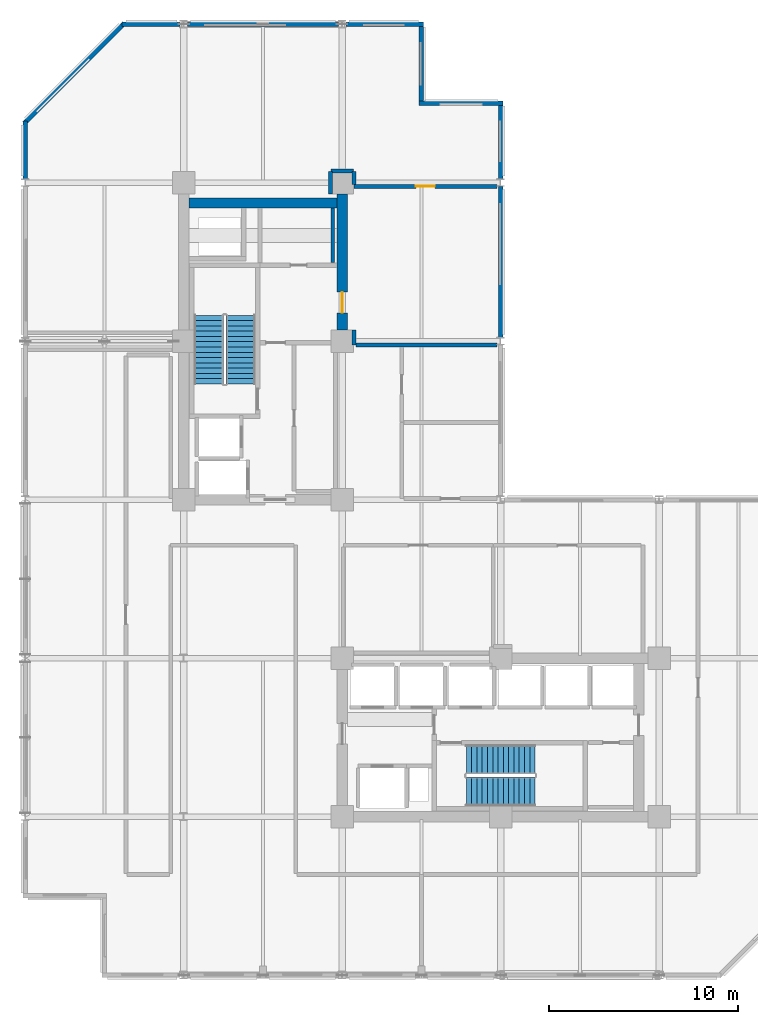
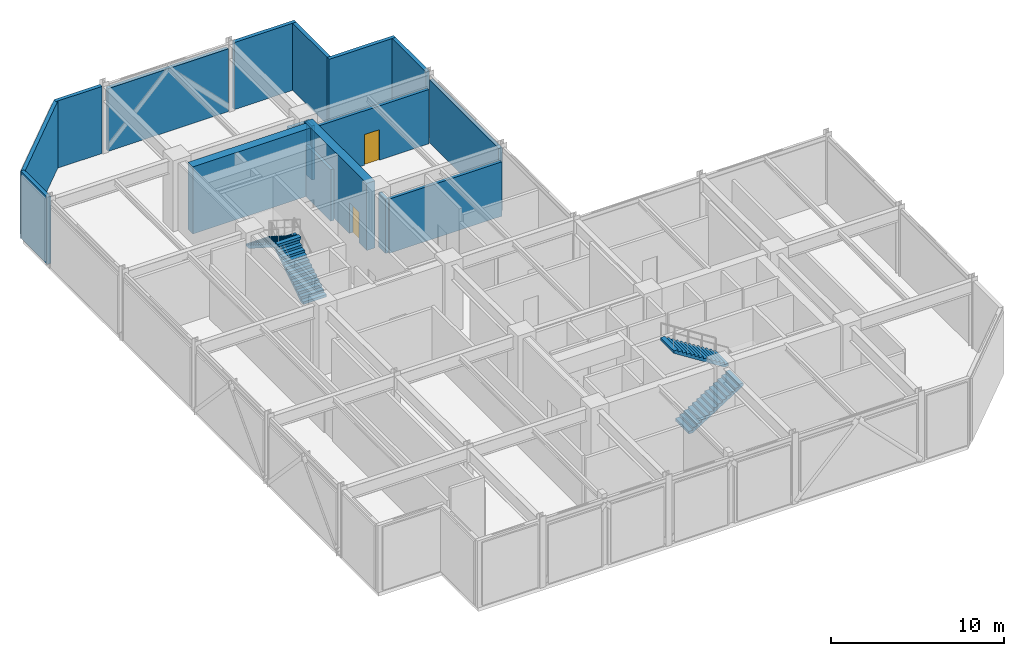
# One storey, part 7 of 10: 18 walls, 4 stair flights, 2 doors, 2 openings, 2 elements without a shape of their own.
"""IFC4 building model written with IfcOpenShell, lengths in metres."""

from ifc_helpers import new_model, si_unit, direction, frame, frame_2d, origin, place, context, subcontext, project, spatial, polyline, rectangle, outline, extrude, material, layer, layer_set, type_object, element, fill, aggregate, save


model = new_model("IFC4")

# Units and contexts
model_context = context("Model", 3, precision=1e-05, world=origin(), true_north=direction((0.0, 1.0)))
body_context = subcontext(model_context, "Body", "Model", "MODEL_VIEW")
ifc_project = project(units=[si_unit("LENGTHUNIT", "METRE"), si_unit("AREAUNIT", "SQUARE_METRE"), si_unit("VOLUMEUNIT", "CUBIC_METRE"), si_unit("PLANEANGLEUNIT", "RADIAN"), si_unit("MASSUNIT", "GRAM", prefix="KILO")], contexts=[model_context])

# Site, building, storey
site_placement = place(None, origin())
site = spatial("IfcSite", under=ifc_project, at=site_placement, CompositionType="ELEMENT")
building_placement = place(site_placement, origin())
building = spatial("IfcBuilding", under=site, at=building_placement, Name="Nerrivon Quay Data Exchange", CompositionType="ELEMENT")
storey_placement = place(building_placement, frame((0.0, 0.0, 162.300048828125)))
storey = spatial("IfcBuildingStorey", under=building, at=storey_placement, Name="L38", CompositionType="ELEMENT", Elevation=162.300048828125)

# Walls
ifc_material_1 = material(Name="Architectural terracotta precast concrete N50 (50 MPa)", Category="masonry")
ifc_layer_1 = layer(ifc_material_1, 0.239990234375)
ifc_layer_set_1 = layer_set([ifc_layer_1], Name="Architectural terracotta precast concrete N50 (50 MPa)")
wall_type_1 = type_object("IfcWallType", Name="EW-PREC-240", PredefinedType="STANDARD", material=ifc_layer_set_1)
wall_1_placement = place(storey_placement, frame((0.0, 42.199951171875, 0.0), z_axis=(0.0, 0.0, 1.0), x_axis=(0.0, 1.0, 0.0)))
element("IfcWall", 1, at=wall_1_placement, inside=storey, type_object=wall_type_1, Name="L38 Plant Enclosure Wall 16", PredefinedType="STANDARD", context=body_context, shape_type="SweptSolid", body=[
    extrude(rectangle(XDim=3.07470703125, YDim=0.239990234375, at=frame_2d((1.537353515625, 0.0))), origin(), (0.0, 0.0, 1.0), 4.724853515625),
])
wall_2_placement = place(storey_placement, frame((-0.052734375, 45.147216796875, 0.0), z_axis=(0.0, 0.0, 1.0), x_axis=(0.707090511833, 0.707123050166, 0.0)))
element("IfcWall", 2, at=wall_2_placement, inside=storey, type_object=wall_type_1, Name="L38 Plant Enclosure Wall 17", PredefinedType="STANDARD", context=body_context, shape_type="SweptSolid", body=[
    extrude(rectangle(XDim=7.503173828125, YDim=0.239990234375, at=frame_2d((3.75146484375, 0.0))), origin(), (0.0, 0.0, 1.0), 4.724853515625),
])
wall_3_placement = place(storey_placement, frame((5.125244140625, 50.39990234375, 0.0), z_axis=(0.0, 0.0, 1.0), x_axis=(1.0, 0.0, 0.0)))
element("IfcWall", 3, at=wall_3_placement, inside=storey, type_object=wall_type_1, Name="L38 Plant Enclosure Wall 18", PredefinedType="STANDARD", context=body_context, shape_type="SweptSolid", body=[
    extrude(rectangle(XDim=3.07470703125, YDim=0.239990234375, at=frame_2d((1.537353515625, 0.0))), origin(), (0.0, 0.0, 1.0), 4.724853515625),
])
wall_4_placement = place(storey_placement, frame((8.60009765625, 50.39990234375, 0.0), z_axis=(0.0, 0.0, 1.0), x_axis=(1.0, 0.0, 0.0)))
element("IfcWall", 4, at=wall_4_placement, inside=storey, type_object=wall_type_1, Name="L38 Plant Enclosure Wall 19", PredefinedType="STANDARD", context=body_context, shape_type="SweptSolid", body=[
    extrude(rectangle(XDim=8.0, YDim=0.239990234375, at=frame_2d((4.0, 0.0))), origin(), (0.0, 0.0, 1.0), 4.425048828125),
])
wall_5_placement = place(storey_placement, frame((17.0, 50.39990234375, 0.0), z_axis=(0.0, 0.0, 1.0), x_axis=(1.0, 0.0, 0.0)))
element("IfcWall", 5, at=wall_5_placement, inside=storey, type_object=wall_type_1, Name="L38 Plant Enclosure Wall 20", PredefinedType="STANDARD", context=body_context, shape_type="SweptSolid", body=[
    extrude(rectangle(XDim=4.1201171875, YDim=0.239990234375, at=frame_2d((2.06005859375, 0.0))), origin(), (0.0, 0.0, 1.0), 4.724853515625),
])
wall_6_placement = place(storey_placement, frame((21.0, 50.280029296875, 0.0), z_axis=(0.0, 0.0, 1.0), x_axis=(0.0, -1.0, 0.0)))
element("IfcWall", 6, at=wall_6_placement, inside=storey, type_object=wall_type_1, Name="L38 Plant Enclosure Wall 21", PredefinedType="STANDARD", context=body_context, shape_type="SweptSolid", body=[
    extrude(rectangle(XDim=3.9599609375, YDim=0.239990234375, at=frame_2d((1.97998046875, 0.0))), origin(), (0.0, 0.0, 1.0), 4.724853515625),
])
wall_7_placement = place(storey_placement, frame((20.8798828125, 46.199951171875, 0.0), z_axis=(0.0, 0.0, 1.0), x_axis=(1.0, 0.0, 0.0)))
element("IfcWall", 7, at=wall_7_placement, inside=storey, type_object=wall_type_1, Name="L38 Plant Enclosure Wall 22", PredefinedType="STANDARD", context=body_context, shape_type="SweptSolid", body=[
    extrude(rectangle(XDim=4.440185546875, YDim=0.239990234375, at=frame_2d((2.22021484375, 0.0))), origin(), (0.0, 0.0, 1.0), 4.724853515625),
])
wall_8_placement = place(storey_placement, frame((25.199951171875, 46.080078125, 0.0), z_axis=(0.0, 0.0, 1.0), x_axis=(0.0, -1.0, 0.0)))
element("IfcWall", 8, at=wall_8_placement, inside=storey, type_object=wall_type_1, Name="L38 Plant Enclosure Wall 23", PredefinedType="STANDARD", context=body_context, shape_type="SweptSolid", body=[
    extrude(rectangle(XDim=3.880126953125, YDim=0.239990234375, at=frame_2d((1.93994140625, 0.0))), origin(), (0.0, 0.0, 1.0), 4.724853515625),
])
wall_9_placement = place(storey_placement, frame((25.199951171875, 41.800048828125, 0.0), z_axis=(0.0, 0.0, 1.0), x_axis=(0.0, -1.0, 0.0)))
element("IfcWall", 9, at=wall_9_placement, inside=storey, type_object=wall_type_1, Name="L38 Plant Enclosure Wall 24", PredefinedType="STANDARD", context=body_context, shape_type="SweptSolid", body=[
    extrude(rectangle(XDim=8.0, YDim=0.239990234375, at=frame_2d((4.0, 0.0))), origin(), (0.0, 0.0, 1.0), 4.425048828125),
])
ifc_material_2 = material(Name="Concrete S65 (65 MPa)", Category="concrete")
ifc_layer_2 = layer(ifc_material_2, 0.550048828125)
ifc_layer_set_2 = layer_set([ifc_layer_2], Name="Concrete S65 (65 MPa)")
wall_type_2 = type_object("IfcWallType", Name="WALL-CW-700", PredefinedType="SHEAR", material=ifc_layer_set_2)
wall_10_placement = place(storey_placement, frame((8.675048828125, 40.925048828125, 0.0), z_axis=(0.0, 0.0, 1.0), x_axis=(1.0, 0.0, 0.0)))
element("IfcWall", 10, at=wall_10_placement, inside=storey, type_object=wall_type_2, Name="L38 West Split-Core Shear Wall WCW-N1", PredefinedType="SHEAR", context=body_context, shape_type="SweptSolid", body=[
    extrude(rectangle(XDim=7.849853515625, YDim=0.550048828125, at=frame_2d((3.9248046875, 0.0))), origin(), (0.0, 0.0, 1.0), 4.724853515625),
])

# Wall, opening, door
wall_11_placement = place(storey_placement, frame((16.800048828125, 34.199951171875, 0.0), z_axis=(0.0, 0.0, 1.0), x_axis=(0.0, 1.0, 0.0)))
wall_11 = element("IfcWall", 11, at=wall_11_placement, inside=storey, type_object=wall_type_2, Name="L38 West Split-Core Shear Wall WCW-E1", PredefinedType="SHEAR", context=body_context, shape_type="SweptSolid", body=[
    extrude(rectangle(XDim=7.199951171875, YDim=0.550048828125, at=frame_2d((3.60009765625, 0.0))), origin(), (0.0, 0.0, 1.0), 4.724853515625),
])
opening_1_placement = place(wall_11_placement, frame((0.89990234375, 0.0, 0.0)))
opening_1 = element("IfcOpeningElement", 12, at=opening_1_placement, cuts=wall_11, Name="Opening FD-120", PredefinedType="OPENING", context=body_context, shape_type="SweptSolid", body=[
    extrude(rectangle(XDim=1.10009765625, YDim=2.14990234375, at=frame_2d((0.550048828125, 1.074951171875))), frame((0.0, 0.284912109375, 0.0), z_axis=(0.0, -1.0, 0.0), x_axis=(1.0, 0.0, 0.0)), (0.0, 0.0, 1.0), 0.570068359375),
])
ifc_material_3 = material(Name="Powder-coated galvanized steel sheet", Category="steel")
door_type_1 = type_object("IfcDoorType", Name="DR-FD120-1100", OperationType="NOTDEFINED", PredefinedType="DOOR", material=ifc_material_3)
door_1_placement = place(opening_1_placement, origin())
door_1 = element("IfcDoor", 13, at=door_1_placement, inside=storey, type_object=door_type_1, Name="L38 West Core Lobby Fire Door", OperationType="SINGLE_SWING_RIGHT", OverallHeight=2.14990234375, OverallWidth=1.10009765625, PredefinedType="DOOR", context=body_context, shape_type="SweptSolid", body=[
    extrude(rectangle(XDim=1.10009765625, YDim=2.14990234375, at=frame_2d((0.550048828125, 1.074951171875))), frame((0.0, 0.02490234375, 0.0), z_axis=(0.0, -1.0, 0.0), x_axis=(1.0, 0.0, 0.0)), (0.0, 0.0, 1.0), 0.050048828125),
])
fill(opening_1, door_1)

# Walls
ifc_material_4 = material(Name="Gypsum plasterboard on cold-formed framing", Category="gypsum")
ifc_layer_3 = layer(ifc_material_4, 0.199951171875)
ifc_layer_set_3 = layer_set([ifc_layer_3], Name="Gypsum plasterboard on cold-formed framing")
wall_type_3 = type_object("IfcWallType", Name="WALL-FW-200", PredefinedType="PARTITIONING", material=ifc_layer_set_3)
wall_12_placement = place(storey_placement, frame((16.300048828125, 37.780029296875, 0.0), z_axis=(0.0, 0.0, 1.0), x_axis=(0.0, 1.0, 0.0)))
element("IfcWall", 14, at=wall_12_placement, inside=storey, type_object=wall_type_3, Name="L38 Partition Electrical Switchboard Closet", PredefinedType="PARTITIONING", context=body_context, shape_type="SweptSolid", body=[
    extrude(rectangle(XDim=2.865966796875, YDim=0.199951171875, at=frame_2d((1.43310546875, 0.0))), origin(), (0.0, 0.0, 1.0), 3.625),
])
wall_13_placement = place(storey_placement, frame((17.419921875, 34.199951171875, 0.0), z_axis=(0.0, 0.0, 1.0), x_axis=(0.0, -1.0, 0.0)))
element("IfcWall", 15, at=wall_13_placement, inside=storey, type_object=wall_type_3, Name="L38 Partition Protected Area of Refuge", PredefinedType="PARTITIONING", context=body_context, shape_type="SweptSolid", body=[
    extrude(rectangle(XDim=0.800048828125, YDim=0.199951171875, at=frame_2d((0.39990234375, 0.0))), origin(), (0.0, 0.0, 1.0), 3.824951171875),
])
wall_14_placement = place(storey_placement, frame((17.52392578125, 33.39990234375, 0.0), z_axis=(0.0, 0.0, 1.0), x_axis=(1.0, 0.0, 0.0)))
element("IfcWall", 16, at=wall_14_placement, inside=storey, type_object=wall_type_3, Name="L38 Partition Protected Area of Refuge", PredefinedType="PARTITIONING", context=body_context, shape_type="SweptSolid", body=[
    extrude(rectangle(XDim=7.47119140625, YDim=0.199951171875, at=frame_2d((3.735595703125, 0.0))), origin(), (0.0, 0.0, 1.0), 3.824951171875),
])

# Wall, opening, door
wall_15_placement = place(storey_placement, frame((24.9951171875, 41.800048828125, 0.0), z_axis=(0.0, 0.0, 1.0), x_axis=(-1.0, 0.0, 0.0)))
wall_15 = element("IfcWall", 17, at=wall_15_placement, inside=storey, type_object=wall_type_3, Name="L38 Partition Protected Area of Refuge", PredefinedType="PARTITIONING", context=body_context, shape_type="SweptSolid", body=[
    extrude(rectangle(XDim=7.5751953125, YDim=0.199951171875, at=frame_2d((3.78759765625, 0.0))), origin(), (0.0, 0.0, 1.0), 3.824951171875),
])
opening_2_placement = place(wall_15_placement, frame((3.28759765625, 0.0, 0.0)))
opening_2 = element("IfcOpeningElement", 18, at=opening_2_placement, cuts=wall_15, Name="Opening FD-60", PredefinedType="OPENING", context=body_context, shape_type="SweptSolid", body=[
    extrude(rectangle(XDim=1.0, YDim=2.14990234375, at=frame_2d((0.5, 1.074951171875))), frame((0.0, 0.10986328125, 0.0), z_axis=(0.0, -1.0, 0.0), x_axis=(1.0, 0.0, 0.0)), (0.0, 0.0, 1.0), 0.219970703125),
])
ifc_material_5 = material(Name="Engineered hardwood timber", Category="wood")
door_type_2 = type_object("IfcDoorType", Name="DR-FD60-1000", OperationType="NOTDEFINED", PredefinedType="DOOR", material=ifc_material_5)
door_2_placement = place(opening_2_placement, origin())
door_2 = element("IfcDoor", 19, at=door_2_placement, inside=storey, type_object=door_type_2, Name="L38 Door Chiller Plant Room", OperationType="SINGLE_SWING_RIGHT", OverallHeight=2.14990234375, OverallWidth=1.0, PredefinedType="DOOR", context=body_context, shape_type="SweptSolid", body=[
    extrude(rectangle(XDim=1.0, YDim=2.14990234375, at=frame_2d((0.5, 1.074951171875))), frame((0.0, 0.02490234375, 0.0), z_axis=(0.0, -1.0, 0.0), x_axis=(1.0, 0.0, 0.0)), (0.0, 0.0, 1.0), 0.050048828125),
])
fill(opening_2, door_2)

# Walls
wall_16_placement = place(storey_placement, frame((16.179931640625, 41.39990234375, 0.0), z_axis=(0.0, 0.0, 1.0), x_axis=(0.0, 1.0, 0.0)))
element("IfcWall", 20, at=wall_16_placement, inside=storey, type_object=wall_type_3, Name="L38 Partition Chiller Plant Room", PredefinedType="PARTITIONING", context=body_context, shape_type="SweptSolid", body=[
    extrude(rectangle(XDim=1.2001953125, YDim=0.199951171875, at=frame_2d((0.60009765625, 0.0))), origin(), (0.0, 0.0, 1.0), 3.824951171875),
])
wall_17_placement = place(storey_placement, frame((16.199951171875, 42.6201171875, 0.0), z_axis=(0.0, 0.0, 1.0), x_axis=(1.0, 0.0, 0.0)))
element("IfcWall", 21, at=wall_17_placement, inside=storey, type_object=wall_type_3, Name="L38 Partition Chiller Plant Room", PredefinedType="PARTITIONING", context=body_context, shape_type="SweptSolid", body=[
    extrude(rectangle(XDim=1.199951171875, YDim=0.199951171875, at=frame_2d((0.60009765625, 0.0))), origin(), (0.0, 0.0, 1.0), 3.708984375),
])
wall_18_placement = place(storey_placement, frame((17.419921875, 42.60009765625, 0.0), z_axis=(0.0, 0.0, 1.0), x_axis=(0.0, -1.0, 0.0)))
element("IfcWall", 22, at=wall_18_placement, inside=storey, type_object=wall_type_3, Name="L38 Partition Chiller Plant Room", PredefinedType="PARTITIONING", context=body_context, shape_type="SweptSolid", body=[
    extrude(rectangle(XDim=0.696044921875, YDim=0.199951171875, at=frame_2d((0.34814453125, 0.0))), origin(), (0.0, 0.0, 1.0), 3.824951171875),
])

# Stair, stair flights
ifc_material_6 = material(Name="Concrete N50 (50 MPa)", Category="concrete")
stair_type = type_object("IfcStairType", Name="STAIR-DOG-50", PredefinedType="HALF_TURN_STAIR", material=ifc_material_6)
stair_1_placement = place(storey_placement, origin())
stair_1 = element("IfcStair", 23, at=stair_1_placement, inside=storey, type_object=stair_type, Name="L38 West Core Fire Stair ST01", PredefinedType="HALF_TURN_STAIR")
stair_flight_type = type_object("IfcStairFlightType", Name="FLIGHT-DOG-50", PredefinedType="STRAIGHT", material=ifc_material_6)
stair_flight_1_placement = place(storey_placement, frame((11.425048828125, 31.330078125, 0.0), z_axis=(0.0, 0.0, 1.0), x_axis=(0.0, 1.0, 0.0)))
stair_flight_1 = element("IfcStairFlight", 24, at=stair_flight_1_placement, type_object=stair_flight_type, Name="ST01 flight 1", NumberOfRisers=14, NumberOfTreads=13, PredefinedType="STRAIGHT", RiserHeight=0.178571429, TreadLength=0.28, context=body_context, shape_type="SweptSolid", body=[
    extrude(outline(polyline([(0.0, 0.0), (0.0, 0.178466796875), (0.280029296875, 0.178466796875), (0.280029296875, 0.357177734375), (0.56005859375, 0.357177734375), (0.56005859375, 0.53564453125), (0.840087890625, 0.53564453125), (0.840087890625, 0.71435546875), (1.1201171875, 0.71435546875), (1.1201171875, 0.892822265625), (1.39990234375, 0.892822265625), (1.39990234375, 1.071533203125), (1.679931640625, 1.071533203125), (1.679931640625, 1.25), (1.9599609375, 1.25), (1.9599609375, 1.428466796875), (2.239990234375, 1.428466796875), (2.239990234375, 1.607177734375), (2.52001953125, 1.607177734375), (2.52001953125, 1.78564453125), (2.800048828125, 1.78564453125), (2.800048828125, 1.96435546875), (3.080078125, 1.96435546875), (3.080078125, 2.142822265625), (3.360107421875, 2.142822265625), (3.360107421875, 2.321533203125), (3.639892578125, 2.321533203125), (3.639892578125, 2.5), (3.639892578125, 2.1435546875), (0.27880859375, 0.0), (0.0, 0.0)])), frame((0.0, 0.77490234375, 0.0), z_axis=(0.0, -1.0, 0.0), x_axis=(1.0, 0.0, 0.0)), (0.0, 0.0, 1.0), 1.550048828125),
])
stair_flight_2_placement = place(storey_placement, frame((9.72509765625, 34.969970703125, 2.5), z_axis=(0.0, 0.0, 1.0), x_axis=(0.0, -1.0, 0.0)))
stair_flight_2 = element("IfcStairFlight", 25, at=stair_flight_2_placement, type_object=stair_flight_type, Name="ST01 flight 2", NumberOfRisers=14, NumberOfTreads=13, PredefinedType="STRAIGHT", RiserHeight=0.178571429, TreadLength=0.28, context=body_context, shape_type="SweptSolid", body=[
    extrude(outline(polyline([(0.0, 0.0), (0.0, 0.178466796875), (0.280029296875, 0.178466796875), (0.280029296875, 0.357177734375), (0.56005859375, 0.357177734375), (0.56005859375, 0.53564453125), (0.840087890625, 0.53564453125), (0.840087890625, 0.71435546875), (1.1201171875, 0.71435546875), (1.1201171875, 0.892822265625), (1.39990234375, 0.892822265625), (1.39990234375, 1.071533203125), (1.679931640625, 1.071533203125), (1.679931640625, 1.25), (1.9599609375, 1.25), (1.9599609375, 1.428466796875), (2.239990234375, 1.428466796875), (2.239990234375, 1.607177734375), (2.52001953125, 1.607177734375), (2.52001953125, 1.78564453125), (2.800048828125, 1.78564453125), (2.800048828125, 1.96435546875), (3.080078125, 1.96435546875), (3.080078125, 2.142822265625), (3.360107421875, 2.142822265625), (3.360107421875, 2.321533203125), (3.639892578125, 2.321533203125), (3.639892578125, 2.5), (3.639892578125, 2.1435546875), (0.27880859375, 0.0), (0.0, 0.0)])), frame((0.0, 0.77490234375, 0.0), z_axis=(0.0, -1.0, 0.0), x_axis=(1.0, 0.0, 0.0)), (0.0, 0.0, 1.0), 1.550048828125),
])
aggregate(stair_1, [stair_flight_1, stair_flight_2])

stair_2_placement = place(storey_placement, origin())
stair_2 = element("IfcStair", 26, at=stair_2_placement, inside=storey, type_object=stair_type, Name="L38 East Core Fire Stair ST02", PredefinedType="HALF_TURN_STAIR")
stair_flight_3_placement = place(storey_placement, frame((23.3798828125, 9.72509765625, 0.0), z_axis=(0.0, 0.0, 1.0), x_axis=(1.0, 0.0, 0.0)))
stair_flight_3 = element("IfcStairFlight", 27, at=stair_flight_3_placement, type_object=stair_flight_type, Name="ST02 flight 1", NumberOfRisers=14, NumberOfTreads=13, PredefinedType="STRAIGHT", RiserHeight=0.178571429, TreadLength=0.28, context=body_context, shape_type="SweptSolid", body=[
    extrude(outline(polyline([(0.0, 0.0), (0.0, 0.178466796875), (0.280029296875, 0.178466796875), (0.280029296875, 0.357177734375), (0.56005859375, 0.357177734375), (0.56005859375, 0.53564453125), (0.840087890625, 0.53564453125), (0.840087890625, 0.71435546875), (1.1201171875, 0.71435546875), (1.1201171875, 0.892822265625), (1.39990234375, 0.892822265625), (1.39990234375, 1.071533203125), (1.679931640625, 1.071533203125), (1.679931640625, 1.25), (1.9599609375, 1.25), (1.9599609375, 1.428466796875), (2.239990234375, 1.428466796875), (2.239990234375, 1.607177734375), (2.52001953125, 1.607177734375), (2.52001953125, 1.78564453125), (2.800048828125, 1.78564453125), (2.800048828125, 1.96435546875), (3.080078125, 1.96435546875), (3.080078125, 2.142822265625), (3.360107421875, 2.142822265625), (3.360107421875, 2.321533203125), (3.639892578125, 2.321533203125), (3.639892578125, 2.5), (3.639892578125, 2.1435546875), (0.27880859375, 0.0), (0.0, 0.0)])), frame((0.0, 0.77490234375, 0.0), z_axis=(0.0, -1.0, 0.0), x_axis=(1.0, 0.0, 0.0)), (0.0, 0.0, 1.0), 1.550048828125),
])
stair_flight_4_placement = place(storey_placement, frame((27.02001953125, 11.425048828125, 2.5), z_axis=(0.0, 0.0, 1.0), x_axis=(-1.0, 0.0, 0.0)))
stair_flight_4 = element("IfcStairFlight", 28, at=stair_flight_4_placement, type_object=stair_flight_type, Name="ST02 flight 2", NumberOfRisers=14, NumberOfTreads=13, PredefinedType="STRAIGHT", RiserHeight=0.178571429, TreadLength=0.28, context=body_context, shape_type="SweptSolid", body=[
    extrude(outline(polyline([(0.0, 0.0), (0.0, 0.178466796875), (0.280029296875, 0.178466796875), (0.280029296875, 0.357177734375), (0.56005859375, 0.357177734375), (0.56005859375, 0.53564453125), (0.840087890625, 0.53564453125), (0.840087890625, 0.71435546875), (1.1201171875, 0.71435546875), (1.1201171875, 0.892822265625), (1.39990234375, 0.892822265625), (1.39990234375, 1.071533203125), (1.679931640625, 1.071533203125), (1.679931640625, 1.25), (1.9599609375, 1.25), (1.9599609375, 1.428466796875), (2.239990234375, 1.428466796875), (2.239990234375, 1.607177734375), (2.52001953125, 1.607177734375), (2.52001953125, 1.78564453125), (2.800048828125, 1.78564453125), (2.800048828125, 1.96435546875), (3.080078125, 1.96435546875), (3.080078125, 2.142822265625), (3.360107421875, 2.142822265625), (3.360107421875, 2.321533203125), (3.639892578125, 2.321533203125), (3.639892578125, 2.5), (3.639892578125, 2.1435546875), (0.27880859375, 0.0), (0.0, 0.0)])), frame((0.0, 0.77490234375, 0.0), z_axis=(0.0, -1.0, 0.0), x_axis=(1.0, 0.0, 0.0)), (0.0, 0.0, 1.0), 1.550048828125),
])
aggregate(stair_2, [stair_flight_3, stair_flight_4])

save(model, "model.ifc")
